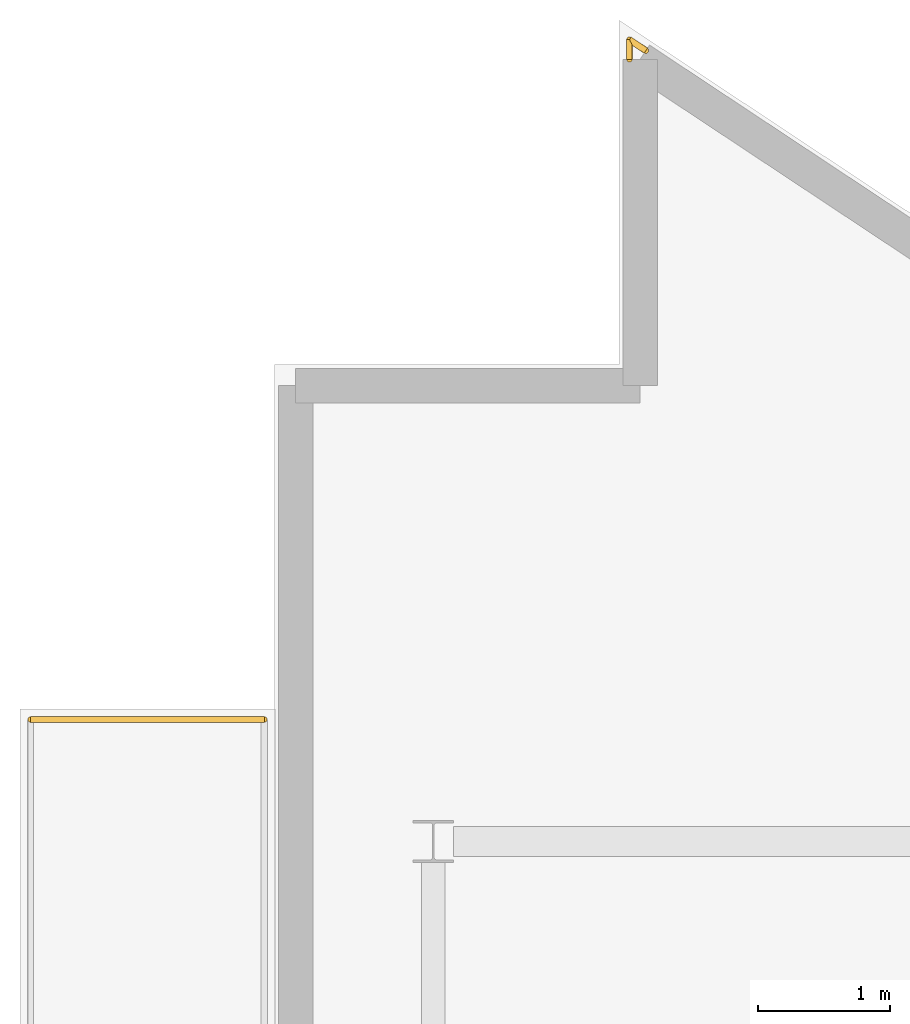
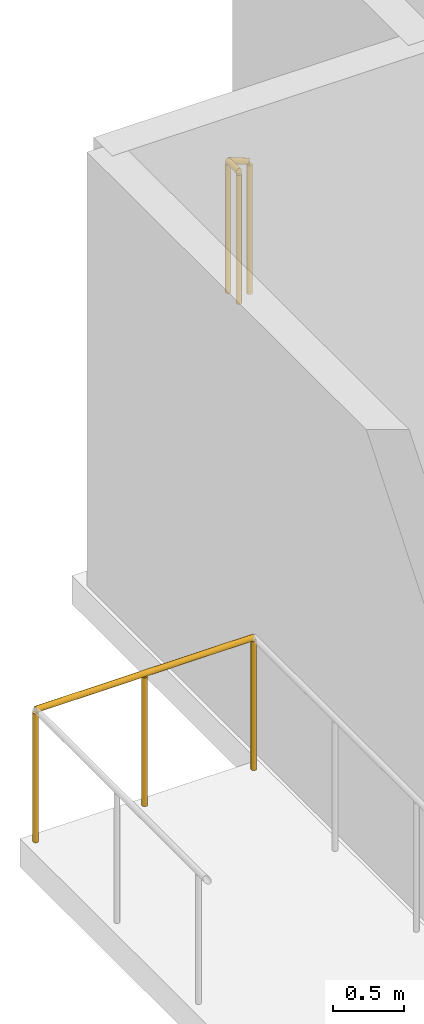
# One storey, part 17 of 18: 3 railings.
"""IFC4 building model written with IfcOpenShell, lengths in metres."""

from ifc_helpers import new_model, si_unit, direction, frame, origin, origin_2d, place, context, subcontext, project, spatial, circle, extrude, material, type_object, element, save


model = new_model("IFC4")

# Units and contexts
model_context = context("Model", 3, precision=1e-05, world=origin(), true_north=direction((0.0, 1.0)))
body_context = subcontext(model_context, "Body", "Model", "MODEL_VIEW")
ifc_project = project(units=[si_unit("LENGTHUNIT", "METRE"), si_unit("AREAUNIT", "SQUARE_METRE"), si_unit("VOLUMEUNIT", "CUBIC_METRE"), si_unit("PLANEANGLEUNIT", "RADIAN"), si_unit("MASSUNIT", "GRAM", prefix="KILO")], contexts=[model_context])

# Site, building, storey
site_placement = place(None, origin())
site = spatial("IfcSite", under=ifc_project, at=site_placement, CompositionType="ELEMENT")
building_placement = place(site_placement, origin())
building = spatial("IfcBuilding", under=site, at=building_placement, Name="Varnakote Quay Hospital", CompositionType="ELEMENT")
storey_placement = place(building_placement, frame((0.0, 0.0, 142.85009765625)))
storey = spatial("IfcBuildingStorey", under=building, at=storey_placement, Name="L35", CompositionType="ELEMENT", Elevation=142.85009765625)

# Railings
ifc_material = material(Name="Anodised aluminium 6063-T6 Bronze", Category="aluminium")
railing_type = type_object("IfcRailingType", Name="RLG-EXT-GUARD-1150", PredefinedType="GUARDRAIL", material=ifc_material)
railing_1_placement = place(storey_placement, frame((-1.840087890625, 38.1201171875, 0.0)))
element("IfcRailing", 1, at=railing_1_placement, inside=storey, type_object=railing_type, Name="L35 Zigzag Prow Healing Terrace Safety Guard", PredefinedType="GUARDRAIL", context=body_context, shape_type="SweptSolid", body=[
    extrude(circle(Radius=0.02392578125, at=origin_2d()), frame((0.0, 0.0, 1.1259765625), z_axis=(1.0, 0.0, 0.0), x_axis=(0.0, 1.0, 0.0)), (0.0, 0.0, 1.0), 1.76416015625),
    extrude(circle(Radius=0.02099609375, at=origin_2d()), origin(), (0.0, 0.0, 1.0), 1.101806640625),
    extrude(circle(Radius=0.02099609375, at=origin_2d()), frame((0.882080078125, 0.0, 0.0)), (0.0, 0.0, 1.0), 1.101806640625),
    extrude(circle(Radius=0.02099609375, at=origin_2d()), frame((1.76416015625, 0.0, 0.0)), (0.0, 0.0, 1.0), 1.101806640625),
])
railing_2_placement = place(storey_placement, frame((2.679931640625, 43.10205078125, 0.0)))
element("IfcRailing", 2, at=railing_2_placement, inside=storey, type_object=railing_type, Name="L35 Slab Edge Perimeter Safety Guard", PredefinedType="GUARDRAIL", context=body_context, shape_type="SweptSolid", body=[
    extrude(circle(Radius=0.02392578125, at=origin_2d()), frame((0.0, 0.0, 1.1259765625), z_axis=(0.0, 1.0, 0.0), x_axis=(-1.0, 0.0, 0.0)), (0.0, 0.0, 1.0), 0.14892578125),
    extrude(circle(Radius=0.02099609375, at=origin_2d()), origin(), (0.0, 0.0, 1.0), 1.101806640625),
    extrude(circle(Radius=0.02099609375, at=origin_2d()), frame((0.0, 0.14892578125, 0.0)), (0.0, 0.0, 1.0), 1.101806640625),
])
railing_3_placement = place(storey_placement, frame((2.679931640625, 43.2509765625, 0.0)))
element("IfcRailing", 3, at=railing_3_placement, inside=storey, type_object=railing_type, Name="L35 Slab Edge Perimeter Safety Guard", PredefinedType="GUARDRAIL", context=body_context, shape_type="SweptSolid", body=[
    extrude(circle(Radius=0.02392578125, at=origin_2d()), frame((0.0, 0.0, 1.1259765625), z_axis=(0.833810230731, -0.552051174374, 0.0), x_axis=(0.552051174374, 0.833810230731, 0.0)), (0.0, 0.0, 1.0), 0.14892578125),
    extrude(circle(Radius=0.02099609375, at=origin_2d()), origin(), (0.0, 0.0, 1.0), 1.101806640625),
    extrude(circle(Radius=0.02099609375, at=origin_2d()), frame((0.124267578125, -0.082275390625, 0.0)), (0.0, 0.0, 1.0), 1.101806640625),
])

save(model, "model.ifc")
